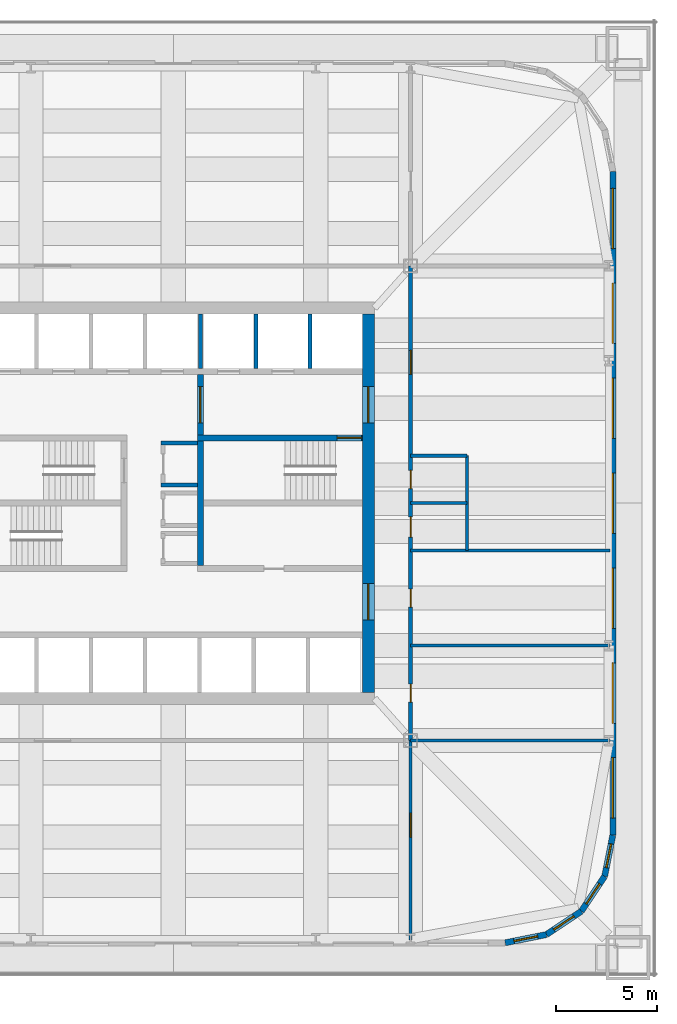
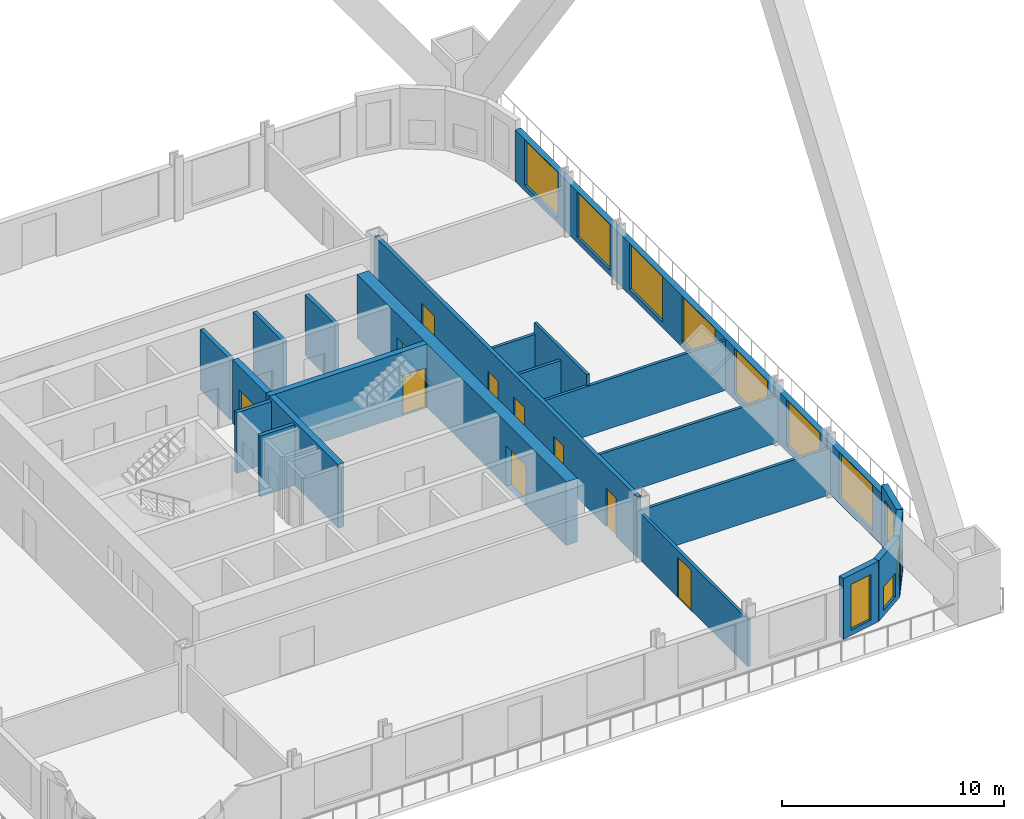
# One storey, part 4 of 7: 21 walls, 11 windows, 10 doors, 21 openings.
"""IFC4 building model written with IfcOpenShell, lengths in metres."""

import ifcopenshell
import ifcopenshell.guid

model = None  # the IFC model being written
_history = None  # IfcOwnerHistory: only IFC2X3 demands one
_inside = {}  # id of a spatial element -> (the spatial element, [elements in it])
_under = {}  # id of a project, library or spatial element -> (it, [spatial elements below it])
_declared = {}  # id of a project -> (the project, [libraries it declares])
_typed = {}  # id of a type object -> (the type object, [elements of that type])
_made_of = {}  # id of a material, layer set ... -> (it, [elements and type objects made of it])


def new_model(schema):
    """Start an empty IFC model of exactly this schema.

    Asked for "IFC4X3", IfcOpenShell would pick the latest addendum, in which some entities
    have other attributes; the version numbers below select the first issue.
    IFC2X3 requires an IfcOwnerHistory on every rooted entity: one is made here for all.
    """
    global model, _history
    if schema == "IFC4X3":
        model = ifcopenshell.file(schema_version=(4, 3, 0, 0))
    else:
        model = ifcopenshell.file(schema=schema)
    _inside.clear()
    _under.clear()
    _declared.clear()
    _typed.clear()
    _made_of.clear()
    _history = None
    if model.schema == "IFC2X3":
        org = make("IfcOrganization", Name="unknown")
        user = make(
            "IfcPersonAndOrganization",
            ThePerson=make("IfcPerson", FamilyName="unknown"),
            TheOrganization=org,
        )
        app = make(
            "IfcApplication",
            ApplicationDeveloper=org,
            Version="unknown",
            ApplicationFullName="unknown",
            ApplicationIdentifier="unknown",
        )
        _history = make(
            "IfcOwnerHistory",
            OwningUser=user,
            OwningApplication=app,
            ChangeAction="ADDED",
            CreationDate=0,
        )
    return model


def make(cls, **values):
    """One entity of the class cls with the attributes given. An attribute that is None is left unset."""
    return model.create_entity(
        cls, **{name: value for name, value in values.items() if value is not None}
    )


def rooted(cls, **values):
    """An entity with a GlobalId (a new one), such as an element, a storey or a relation."""
    return make(cls, GlobalId=ifcopenshell.guid.new(), OwnerHistory=_history, **values)


def si_unit(unit_type, name, prefix=None):
    """IfcSIUnit, for example si_unit("LENGTHUNIT", "METRE", prefix="MILLI")."""
    return make("IfcSIUnit", UnitType=unit_type, Prefix=prefix, Name=name)


def assignment(units):
    """IfcUnitAssignment: the units of a project."""
    return None if units is None else make("IfcUnitAssignment", Units=units)


def point(xyz):
    """IfcCartesianPoint."""
    return None if xyz is None else make("IfcCartesianPoint", Coordinates=xyz)


def direction(xyz):
    """IfcDirection."""
    return None if xyz is None else make("IfcDirection", DirectionRatios=xyz)


def frame(location, z_axis=None, x_axis=None):
    """IfcAxis2Placement3D, a coordinate frame: its origin and axes. An axis left out is left unset."""
    return make(
        "IfcAxis2Placement3D",
        Location=point(location),
        Axis=direction(z_axis),
        RefDirection=direction(x_axis),
    )


def frame_2d(location, x_axis=None):
    """IfcAxis2Placement2D, a coordinate frame in the plane: its origin and x axis."""
    return make(
        "IfcAxis2Placement2D", Location=point(location), RefDirection=direction(x_axis)
    )


def origin():
    """The frame at (0, 0, 0) with its axes left unset."""
    return frame((0.0, 0.0, 0.0))


def place(relative_to, where):
    """IfcLocalPlacement: puts the frame where relative to a parent placement (None: the world)."""
    return make(
        "IfcLocalPlacement", PlacementRelTo=relative_to, RelativePlacement=where
    )


def context(
    kind, dimensions, precision=None, world=None, true_north=None, identifier=None
):
    """IfcGeometricRepresentationContext, for example the 3D "Model" context."""
    return make(
        "IfcGeometricRepresentationContext",
        ContextIdentifier=identifier,
        ContextType=kind,
        CoordinateSpaceDimension=dimensions,
        Precision=precision,
        WorldCoordinateSystem=world,
        TrueNorth=true_north,
    )


def subcontext(parent, identifier, kind, view, scale=None):
    """IfcGeometricRepresentationSubContext, for example "Body" below "Model"."""
    return make(
        "IfcGeometricRepresentationSubContext",
        ContextIdentifier=identifier,
        ContextType=kind,
        ParentContext=parent,
        TargetScale=scale,
        TargetView=view,
    )


def project(units=None, contexts=None):
    """IfcProject with its units and contexts."""
    return rooted(
        "IfcProject",
        Name="project",
        RepresentationContexts=contexts,
        UnitsInContext=assignment(units),
    )


def spatial(cls, under=None, at=None, **own):
    """A site, building, storey or space (cls), placed at a placement, below another one or the project."""
    s = rooted(cls, ObjectPlacement=at, **own)
    if under is not None:
        _under.setdefault(under.id(), (under, []))[1].append(s)
    return s


def profile(cls, at=None, kind="AREA", **sizes):
    """A parametric profile (cls). Its sizes go by their IFC names, for example OverallWidth=200.0."""
    return make(cls, ProfileType=kind, Position=at, **sizes)


def rectangle(**sizes):
    """IfcRectangleProfileDef."""
    return profile("IfcRectangleProfileDef", **sizes)


def extrude(swept, where, along, depth):
    """IfcExtrudedAreaSolid: the profile swept, set in the frame where, extruded along a direction by depth."""
    return make(
        "IfcExtrudedAreaSolid",
        SweptArea=swept,
        Position=where,
        ExtrudedDirection=direction(along),
        Depth=depth,
    )


def shape(context_of_items, identifier, shape_type, items):
    """IfcShapeRepresentation: the items that make up one representation, for example the "Body"."""
    return make(
        "IfcShapeRepresentation",
        ContextOfItems=context_of_items,
        RepresentationIdentifier=identifier,
        RepresentationType=shape_type,
        Items=items,
    )


def material(Name=None, Category=None):
    """IfcMaterial."""
    return make("IfcMaterial", Name=Name, Category=Category)


def layer(
    of_material, thickness, ventilated=None, Name=None, Category=None, Priority=None
):
    """IfcMaterialLayer: one layer of a wall or slab, of a material (None: an air gap)."""
    return make(
        "IfcMaterialLayer",
        Material=of_material,
        LayerThickness=thickness,
        IsVentilated=ventilated,
        Name=Name,
        Category=Category,
        Priority=Priority,
    )


def layer_set(layers, Name=None):
    """IfcMaterialLayerSet."""
    return make("IfcMaterialLayerSet", MaterialLayers=layers, LayerSetName=Name)


def made_of(thing, what):
    """Note that an element or type object is made of a material, layer set ...; save() writes the relation."""
    if what is not None:
        _made_of.setdefault(what.id(), (what, []))[1].append(thing)
    return thing


def type_object(cls, material=None, **own):
    """A type object (cls), such as IfcWallType, which elements share."""
    return made_of(rooted(cls, **own), material)


def element(
    cls,
    number,
    at=None,
    inside=None,
    cuts=None,
    type_object=None,
    material=None,
    context=None,
    identifier="Body",
    shape_type=None,
    held_by="IfcProductDefinitionShape",
    body=None,
    shapes=None,
    **own,
):
    """One element of the class cls, such as IfcWall. Its Tag is "e" and its number.

    at: its placement. inside: the storey or other place that contains it. cuts: it is an
    opening in that element (IfcRelVoidsElement). A single representation is given by context,
    identifier, shape_type and body (its items); several are given by shapes. held_by: the class
    of the entity that holds the representations. save() writes the other relations.
    """
    e = rooted(cls, Tag="e%d" % number, ObjectPlacement=at, **own)
    if body is not None:
        shapes = [shape(context, identifier, shape_type, body)]
    if shapes is not None:
        e.Representation = make(held_by, Representations=shapes)
    if inside is not None:
        _inside.setdefault(inside.id(), (inside, []))[1].append(e)
    if cuts is not None:
        rooted(
            "IfcRelVoidsElement", RelatingBuildingElement=cuts, RelatedOpeningElement=e
        )
    if type_object is not None:
        _typed.setdefault(type_object.id(), (type_object, []))[1].append(e)
    return made_of(e, material)


def fill(opening, filler):
    """IfcRelFillsElement: the door or window that sits in an opening."""
    return rooted(
        "IfcRelFillsElement",
        RelatingOpeningElement=opening,
        RelatedBuildingElement=filler,
    )


def aggregate(whole, parts):
    """IfcRelAggregates: a whole, such as a stair, and the parts it consists of."""
    return rooted("IfcRelAggregates", RelatingObject=whole, RelatedObjects=parts)


def save(model, path):
    """Write the relations noted so far, then the file.

    IfcRelAggregates (storeys below a building ...), IfcRelContainedInSpatialStructure (elements
    in a storey), IfcRelDefinesByType, IfcRelAssociatesMaterial and IfcRelDeclares: one each for
    every whole, place, type object, material and project.
    """
    for whole, parts in _under.values():
        aggregate(whole, parts)
    for where, things in _inside.values():
        rooted(
            "IfcRelContainedInSpatialStructure",
            RelatedElements=things,
            RelatingStructure=where,
        )
    for kind, things in _typed.values():
        rooted("IfcRelDefinesByType", RelatedObjects=things, RelatingType=kind)
    for what, things in _made_of.values():
        rooted("IfcRelAssociatesMaterial", RelatedObjects=things, RelatingMaterial=what)
    for by, libraries in _declared.values():
        rooted("IfcRelDeclares", RelatingContext=by, RelatedDefinitions=libraries)
    model.write(path)


model = new_model("IFC4")

# Units and contexts
model_context = context("Model", 3, precision=1e-05, world=origin(), true_north=direction((0.0, 1.0)))
body_context = subcontext(model_context, "Body", "Model", "MODEL_VIEW")
ifc_project = project(units=[si_unit("LENGTHUNIT", "METRE"), si_unit("AREAUNIT", "SQUARE_METRE"), si_unit("VOLUMEUNIT", "CUBIC_METRE"), si_unit("PLANEANGLEUNIT", "RADIAN"), si_unit("MASSUNIT", "GRAM", prefix="KILO")], contexts=[model_context])

# Site, building, storey
site_placement = place(None, origin())
site = spatial("IfcSite", under=ifc_project, at=site_placement, CompositionType="ELEMENT")
building_placement = place(site_placement, origin())
building = spatial("IfcBuilding", under=site, at=building_placement, Name="Turquesa Mirador Hotel Tower", CompositionType="ELEMENT")
storey_placement = place(building_placement, frame((0.0, 0.0, 25.0)))
storey = spatial("IfcBuildingStorey", under=building, at=storey_placement, Name="L05", CompositionType="ELEMENT", Elevation=25.0)

# Wall, opening, door
ifc_material_1 = material(Name="Concrete C50/60", Category="concrete")
ifc_layer_1 = layer(ifc_material_1, 0.300048828125)
ifc_layer_set_1 = layer_set([ifc_layer_1], Name="CORE INNER WALL 300")
wall_type_1 = type_object("IfcWallType", Name="CORE INNER WALL 300", PredefinedType="SHEAR", material=ifc_layer_set_1)
wall_1_placement = place(storey_placement, frame((56.199951171875, 48.25, 0.0), z_axis=(0.0, 0.0, 1.0), x_axis=(1.0, 0.0, 0.0)))
wall_1 = element("IfcWall", 1, at=wall_1_placement, inside=storey, type_object=wall_type_1, Name="Core wall MN-E", PredefinedType="SHEAR", context=body_context, shape_type="SweptSolid", body=[
    extrude(rectangle(XDim=8.199951171875, YDim=0.300048828125, at=frame_2d((4.10009765625, 0.0))), origin(), (0.0, 0.0, 1.0), 3.5),
])
opening_1_placement = place(wall_1_placement, frame((6.949951171875, 0.0, 0.0)))
opening_1 = element("IfcOpeningElement", 2, at=opening_1_placement, cuts=wall_1, Name="Opening D03", PredefinedType="OPENING", context=body_context, shape_type="SweptSolid", body=[
    extrude(rectangle(XDim=1.199951171875, YDim=2.199951171875, at=frame_2d((0.60009765625, 1.10009765625))), frame((0.0, 0.159912109375, 0.0), z_axis=(0.0, -1.0, 0.0), x_axis=(1.0, 0.0, 0.0)), (0.0, 0.0, 1.0), 0.320068359375),
])
ifc_material_2 = material(Name="Steel fire door", Category="steel")
door_type_1 = type_object("IfcDoorType", Name="DOOR 1200X2200 STAIR", OperationType="SINGLE_SWING_LEFT", PredefinedType="DOOR", material=ifc_material_2)
door_1_placement = place(opening_1_placement, origin())
door_1 = element("IfcDoor", 3, at=door_1_placement, inside=storey, type_object=door_type_1, Name="Stair ST3 door", OperationType="SINGLE_SWING_LEFT", OverallHeight=2.199951171875, OverallWidth=1.199951171875, PredefinedType="DOOR", context=body_context, shape_type="SweptSolid", body=[
    extrude(rectangle(XDim=1.199951171875, YDim=2.199951171875, at=frame_2d((0.60009765625, 1.10009765625))), frame((0.0, 0.02490234375, 0.0), z_axis=(0.0, -1.0, 0.0), x_axis=(1.0, 0.0, 0.0)), (0.0, 0.0, 1.0), 0.050048828125),
])
fill(opening_1, door_1)

wall_2_placement = place(storey_placement, frame((56.35009765625, 41.89990234375, 0.0), z_axis=(0.0, 0.0, 1.0), x_axis=(0.0, 1.0, 0.0)))
wall_2 = element("IfcWall", 4, at=wall_2_placement, inside=storey, type_object=wall_type_1, Name="Core wall PE", PredefinedType="SHEAR", context=body_context, shape_type="SweptSolid", body=[
    extrude(rectangle(XDim=9.5, YDim=0.300048828125, at=frame_2d((4.75, 0.0))), origin(), (0.0, 0.0, 1.0), 3.5),
])
opening_2_placement = place(wall_2_placement, frame((7.10009765625, 0.0, 0.0)))
opening_2 = element("IfcOpeningElement", 5, at=opening_2_placement, cuts=wall_2, Name="Opening D04", PredefinedType="OPENING", context=body_context, shape_type="SweptSolid", body=[
    extrude(rectangle(XDim=1.800048828125, YDim=2.199951171875, at=frame_2d((0.89990234375, 1.10009765625))), frame((0.0, 0.159912109375, 0.0), z_axis=(0.0, -1.0, 0.0), x_axis=(1.0, 0.0, 0.0)), (0.0, 0.0, 1.0), 0.320068359375),
])
ifc_material_3 = material(Name="Steel fire door pair", Category="steel")
door_type_2 = type_object("IfcDoorType", Name="DOOR 1800X2200 PAIR", OperationType="DOUBLE_DOOR_SINGLE_SWING", PredefinedType="DOOR", material=ifc_material_3)
door_2_placement = place(opening_2_placement, origin())
door_2 = element("IfcDoor", 6, at=door_2_placement, inside=storey, type_object=door_type_2, Name="Firefighting lobby inner door", OperationType="DOUBLE_DOOR_SINGLE_SWING", OverallHeight=2.199951171875, OverallWidth=1.800048828125, PredefinedType="DOOR", context=body_context, shape_type="SweptSolid", body=[
    extrude(rectangle(XDim=1.800048828125, YDim=2.199951171875, at=frame_2d((0.89990234375, 1.10009765625))), frame((0.0, 0.02490234375, 0.0), z_axis=(0.0, -1.0, 0.0), x_axis=(1.0, 0.0, 0.0)), (0.0, 0.0, 1.0), 0.050048828125),
])
fill(opening_2, door_2)

# Wall, openings, doors
ifc_material_4 = material(Name="Concrete C50/60", Category="concrete")
ifc_layer_2 = layer(ifc_material_4, 0.60009765625)
ifc_layer_set_2 = layer_set([ifc_layer_2], Name="CORE WALL 600")
wall_type_2 = type_object("IfcWallType", Name="CORE WALL 600", PredefinedType="SHEAR", material=ifc_layer_set_2)
wall_3_placement = place(storey_placement, frame((64.699951171875, 35.60009765625, 0.0), z_axis=(0.0, 0.0, 1.0), x_axis=(0.0, 1.0, 0.0)))
wall_3 = element("IfcWall", 7, at=wall_3_placement, inside=storey, type_object=wall_type_2, Name="Core wall E", PredefinedType="SHEAR", context=body_context, shape_type="SweptSolid", body=[
    extrude(rectangle(XDim=18.7998046875, YDim=0.60009765625, at=frame_2d((9.39990234375, 0.0))), origin(), (0.0, 0.0, 1.0), 3.5),
])
opening_3_placement = place(wall_3_placement, frame((13.39990234375, 0.0, 0.0)))
opening_3 = element("IfcOpeningElement", 8, at=opening_3_placement, cuts=wall_3, Name="Opening D04", PredefinedType="OPENING", context=body_context, shape_type="SweptSolid", body=[
    extrude(rectangle(XDim=1.800048828125, YDim=2.199951171875, at=frame_2d((0.89990234375, 1.10009765625))), frame((0.0, 0.31005859375, 0.0), z_axis=(0.0, -1.0, 0.0), x_axis=(1.0, 0.0, 0.0)), (0.0, 0.0, 1.0), 0.6201171875),
])
opening_4_placement = place(wall_3_placement, frame((3.60009765625, 0.0, 0.0)))
opening_4 = element("IfcOpeningElement", 9, at=opening_4_placement, cuts=wall_3, Name="Opening D04", PredefinedType="OPENING", context=body_context, shape_type="SweptSolid", body=[
    extrude(rectangle(XDim=1.800048828125, YDim=2.199951171875, at=frame_2d((0.89990234375, 1.10009765625))), frame((0.0, 0.31005859375, 0.0), z_axis=(0.0, -1.0, 0.0), x_axis=(1.0, 0.0, 0.0)), (0.0, 0.0, 1.0), 0.6201171875),
])
door_3_placement = place(opening_3_placement, origin())
door_3 = element("IfcDoor", 10, at=door_3_placement, inside=storey, type_object=door_type_2, Name="Firefighting lobby door", OperationType="DOUBLE_DOOR_SINGLE_SWING", OverallHeight=2.199951171875, OverallWidth=1.800048828125, PredefinedType="DOOR", context=body_context, shape_type="SweptSolid", body=[
    extrude(rectangle(XDim=1.800048828125, YDim=2.199951171875, at=frame_2d((0.89990234375, 1.10009765625))), frame((0.0, 0.02490234375, 0.0), z_axis=(0.0, -1.0, 0.0), x_axis=(1.0, 0.0, 0.0)), (0.0, 0.0, 1.0), 0.050048828125),
])
fill(opening_3, door_3)
door_4_placement = place(opening_4_placement, origin())
door_4 = element("IfcDoor", 11, at=door_4_placement, inside=storey, type_object=door_type_2, Name="South lift lobby door", OperationType="DOUBLE_DOOR_SINGLE_SWING", OverallHeight=2.199951171875, OverallWidth=1.800048828125, PredefinedType="DOOR", context=body_context, shape_type="SweptSolid", body=[
    extrude(rectangle(XDim=1.800048828125, YDim=2.199951171875, at=frame_2d((0.89990234375, 1.10009765625))), frame((0.0, 0.02490234375, 0.0), z_axis=(0.0, -1.0, 0.0), x_axis=(1.0, 0.0, 0.0)), (0.0, 0.0, 1.0), 0.050048828125),
])
fill(opening_4, door_4)

ifc_material_5 = material(Name="Fire-rated gypsum board on steel studs", Category="steel")
ifc_layer_3 = layer(ifc_material_5, 0.199951171875)
ifc_layer_set_3 = layer_set([ifc_layer_3], Name="CORRIDOR WALL 200")
wall_type_3 = type_object("IfcWallType", Name="CORRIDOR WALL 200", PredefinedType="PARTITIONING", material=ifc_layer_set_3)
wall_4_placement = place(storey_placement, frame((66.800048828125, 33.199951171875, 0.0), z_axis=(0.0, 0.0, 1.0), x_axis=(0.0, 1.0, 0.0)))
wall_4 = element("IfcWall", 12, at=wall_4_placement, inside=storey, type_object=wall_type_3, Name="Partition L05 014", PredefinedType="PARTITIONING", context=body_context, shape_type="SweptSolid", body=[
    extrude(rectangle(XDim=23.60009765625, YDim=0.199951171875, at=frame_2d((11.800048828125, 0.0))), origin(), (0.0, 0.0, 1.0), 3.330078125),
])
opening_5_placement = place(wall_4_placement, frame((18.199951171875, 0.0, 0.0)))
opening_5 = element("IfcOpeningElement", 13, at=opening_5_placement, cuts=wall_4, Name="Opening D09", PredefinedType="OPENING", context=body_context, shape_type="SweptSolid", body=[
    extrude(rectangle(XDim=1.199951171875, YDim=2.199951171875, at=frame_2d((0.60009765625, 1.10009765625))), frame((0.0, 0.10986328125, 0.0), z_axis=(0.0, -1.0, 0.0), x_axis=(1.0, 0.0, 0.0)), (0.0, 0.0, 1.0), 0.219970703125),
])
opening_6_placement = place(wall_4_placement, frame((10.1201171875, 0.0, 0.0)))
opening_6 = element("IfcOpeningElement", 14, at=opening_6_placement, cuts=wall_4, Name="Opening D07", PredefinedType="OPENING", context=body_context, shape_type="SweptSolid", body=[
    extrude(rectangle(XDim=1.0, YDim=2.10009765625, at=frame_2d((0.5, 1.050048828125))), frame((0.0, 0.10986328125, 0.0), z_axis=(0.0, -1.0, 0.0), x_axis=(1.0, 0.0, 0.0)), (0.0, 0.0, 1.0), 0.219970703125),
])
opening_7_placement = place(wall_4_placement, frame((12.530029296875, 0.0, 0.0)))
opening_7 = element("IfcOpeningElement", 15, at=opening_7_placement, cuts=wall_4, Name="Opening D06", PredefinedType="OPENING", context=body_context, shape_type="SweptSolid", body=[
    extrude(rectangle(XDim=0.89990234375, YDim=2.10009765625, at=frame_2d((0.449951171875, 1.050048828125))), frame((0.0, 0.10986328125, 0.0), z_axis=(0.0, -1.0, 0.0), x_axis=(1.0, 0.0, 0.0)), (0.0, 0.0, 1.0), 0.219970703125),
])
opening_8_placement = place(wall_4_placement, frame((1.909912109375, 0.0, 0.0)))
opening_8 = element("IfcOpeningElement", 16, at=opening_8_placement, cuts=wall_4, Name="Opening D06", PredefinedType="OPENING", context=body_context, shape_type="SweptSolid", body=[
    extrude(rectangle(XDim=0.89990234375, YDim=2.10009765625, at=frame_2d((0.449951171875, 1.050048828125))), frame((0.0, 0.10986328125, 0.0), z_axis=(0.0, -1.0, 0.0), x_axis=(1.0, 0.0, 0.0)), (0.0, 0.0, 1.0), 0.219970703125),
])
opening_9_placement = place(wall_4_placement, frame((6.6298828125, 0.0, 0.0)))
opening_9 = element("IfcOpeningElement", 17, at=opening_9_placement, cuts=wall_4, Name="Opening D06", PredefinedType="OPENING", context=body_context, shape_type="SweptSolid", body=[
    extrude(rectangle(XDim=0.89990234375, YDim=2.10009765625, at=frame_2d((0.449951171875, 1.050048828125))), frame((0.0, 0.10986328125, 0.0), z_axis=(0.0, -1.0, 0.0), x_axis=(1.0, 0.0, 0.0)), (0.0, 0.0, 1.0), 0.219970703125),
])
ifc_material_6 = material(Name="Laminate sliding door", Category="wood")
door_type_3 = type_object("IfcDoorType", Name="DOOR 1000X2100 ACCESSIBLE WC", OperationType="SLIDING_TO_LEFT", PredefinedType="DOOR", material=ifc_material_6)
door_5_placement = place(opening_6_placement, origin())
door_5 = element("IfcDoor", 18, at=door_5_placement, inside=storey, type_object=door_type_3, Name="Door L05-11", OperationType="SLIDING_TO_LEFT", OverallHeight=2.10009765625, OverallWidth=1.0, PredefinedType="DOOR", context=body_context, shape_type="SweptSolid", body=[
    extrude(rectangle(XDim=1.0, YDim=2.10009765625, at=frame_2d((0.5, 1.050048828125))), frame((0.0, 0.02490234375, 0.0), z_axis=(0.0, -1.0, 0.0), x_axis=(1.0, 0.0, 0.0)), (0.0, 0.0, 1.0), 0.050048828125),
])
fill(opening_6, door_5)
ifc_material_7 = material(Name="Timber door", Category="wood")
door_type_4 = type_object("IfcDoorType", Name="DOOR 1200X2200 OFFICE", OperationType="SINGLE_SWING_LEFT", PredefinedType="DOOR", material=ifc_material_7)
door_6_placement = place(opening_5_placement, origin())
door_6 = element("IfcDoor", 19, at=door_6_placement, inside=storey, type_object=door_type_4, Name="Door L05-08", OperationType="SINGLE_SWING_LEFT", OverallHeight=2.199951171875, OverallWidth=1.199951171875, PredefinedType="DOOR", context=body_context, shape_type="SweptSolid", body=[
    extrude(rectangle(XDim=1.199951171875, YDim=2.199951171875, at=frame_2d((0.60009765625, 1.10009765625))), frame((0.0, 0.02490234375, 0.0), z_axis=(0.0, -1.0, 0.0), x_axis=(1.0, 0.0, 0.0)), (0.0, 0.0, 1.0), 0.050048828125),
])
fill(opening_5, door_6)
ifc_material_8 = material(Name="Laminate door", Category="wood")
door_type_5 = type_object("IfcDoorType", Name="DOOR 900X2100 WC", OperationType="SINGLE_SWING_LEFT", PredefinedType="DOOR", material=ifc_material_8)
door_7_placement = place(opening_7_placement, origin())
door_7 = element("IfcDoor", 20, at=door_7_placement, inside=storey, type_object=door_type_5, Name="Door L05-12", OperationType="SINGLE_SWING_LEFT", OverallHeight=2.10009765625, OverallWidth=0.89990234375, PredefinedType="DOOR", context=body_context, shape_type="SweptSolid", body=[
    extrude(rectangle(XDim=0.89990234375, YDim=2.10009765625, at=frame_2d((0.449951171875, 1.050048828125))), frame((0.0, 0.02490234375, 0.0), z_axis=(0.0, -1.0, 0.0), x_axis=(1.0, 0.0, 0.0)), (0.0, 0.0, 1.0), 0.050048828125),
])
fill(opening_7, door_7)
door_8_placement = place(opening_8_placement, origin())
door_8 = element("IfcDoor", 21, at=door_8_placement, inside=storey, type_object=door_type_5, Name="Door L05-09", OperationType="SINGLE_SWING_LEFT", OverallHeight=2.10009765625, OverallWidth=0.89990234375, PredefinedType="DOOR", context=body_context, shape_type="SweptSolid", body=[
    extrude(rectangle(XDim=0.89990234375, YDim=2.10009765625, at=frame_2d((0.449951171875, 1.050048828125))), frame((0.0, 0.02490234375, 0.0), z_axis=(0.0, -1.0, 0.0), x_axis=(1.0, 0.0, 0.0)), (0.0, 0.0, 1.0), 0.050048828125),
])
fill(opening_8, door_8)
door_9_placement = place(opening_9_placement, origin())
door_9 = element("IfcDoor", 22, at=door_9_placement, inside=storey, type_object=door_type_5, Name="Door L05-10", OperationType="SINGLE_SWING_LEFT", OverallHeight=2.10009765625, OverallWidth=0.89990234375, PredefinedType="DOOR", context=body_context, shape_type="SweptSolid", body=[
    extrude(rectangle(XDim=0.89990234375, YDim=2.10009765625, at=frame_2d((0.449951171875, 1.050048828125))), frame((0.0, 0.02490234375, 0.0), z_axis=(0.0, -1.0, 0.0), x_axis=(1.0, 0.0, 0.0)), (0.0, 0.0, 1.0), 0.050048828125),
])
fill(opening_9, door_9)

# Wall, opening, window
ifc_material_9 = material(Name="Limestone cladding on concrete block", Category="masonry")
ifc_layer_4 = layer(ifc_material_9, 0.300048828125)
ifc_layer_set_4 = layer_set([ifc_layer_4], Name="FACADE WALL 300 STONE SCREEN")
wall_type_4 = type_object("IfcWallType", Name="FACADE WALL 300 STONE SCREEN", PredefinedType="SOLIDWALL", material=ifc_layer_set_4)
wall_5_placement = place(storey_placement, frame((71.5, 23.14990234375, 0.0), z_axis=(0.0, 0.0, 1.0), x_axis=(0.980787050784, 0.195081421501, 0.0)))
wall_5 = element("IfcWall", 23, at=wall_5_placement, inside=storey, type_object=wall_type_4, Name="Facade wall L05 00", PredefinedType="SOLIDWALL", context=body_context, shape_type="SweptSolid", body=[
    extrude(rectangle(XDim=2.08740234375, YDim=0.300048828125, at=frame_2d((1.043701171875, 0.0))), origin(), (0.0, 0.0, 1.0), 3.330078125),
])
opening_10_placement = place(wall_5_placement, frame((0.443603515625, 0.0, 0.300048828125)))
opening_10 = element("IfcOpeningElement", 24, at=opening_10_placement, cuts=wall_5, Name="Opening WN6", PredefinedType="OPENING", context=body_context, shape_type="SweptSolid", body=[
    extrude(rectangle(XDim=1.199951171875, YDim=2.5, at=frame_2d((0.60009765625, 1.25))), frame((0.0, 0.159912109375, 0.0), z_axis=(0.0, -1.0, 0.0), x_axis=(1.0, 0.0, 0.0)), (0.0, 0.0, 1.0), 0.320068359375),
])
ifc_material_10 = material(Name="Ceramic-fritted laminated glass", Category="glass")
window_type_1 = type_object("IfcWindowType", Name="AMENITY CORNER WINDOW 1200X2500", PartitioningType="SINGLE_PANEL", PredefinedType="WINDOW", material=ifc_material_10)
window_1_placement = place(opening_10_placement, origin())
window_1 = element("IfcWindow", 25, at=window_1_placement, inside=storey, type_object=window_type_1, Name="Window L05", OverallHeight=2.5, OverallWidth=1.199951171875, PartitioningType="SINGLE_PANEL", PredefinedType="WINDOW", context=body_context, shape_type="SweptSolid", body=[
    extrude(rectangle(XDim=1.199951171875, YDim=2.5, at=frame_2d((0.60009765625, 1.25))), frame((0.0, 0.030029296875, 0.0), z_axis=(0.0, -1.0, 0.0), x_axis=(1.0, 0.0, 0.0)), (0.0, 0.0, 1.0), 0.06005859375),
])
fill(opening_10, window_1)

wall_6_placement = place(storey_placement, frame((73.54736328125, 23.55712890625, 0.0), z_axis=(0.0, 0.0, 1.0), x_axis=(0.831420010345, 0.555644460423, 0.0)))
wall_6 = element("IfcWall", 26, at=wall_6_placement, inside=storey, type_object=wall_type_4, Name="Facade wall L05 01", PredefinedType="SOLIDWALL", context=body_context, shape_type="SweptSolid", body=[
    extrude(rectangle(XDim=2.08740234375, YDim=0.300048828125, at=frame_2d((1.043701171875, 0.0))), origin(), (0.0, 0.0, 1.0), 3.330078125),
])
opening_11_placement = place(wall_6_placement, frame((0.443603515625, 0.0, 0.300048828125)))
opening_11 = element("IfcOpeningElement", 27, at=opening_11_placement, cuts=wall_6, Name="Opening WN9", PredefinedType="OPENING", context=body_context, shape_type="SweptSolid", body=[
    extrude(rectangle(XDim=1.199951171875, YDim=1.300048828125, at=frame_2d((0.60009765625, 0.64990234375))), frame((0.0, 0.159912109375, 0.0), z_axis=(0.0, -1.0, 0.0), x_axis=(1.0, 0.0, 0.0)), (0.0, 0.0, 1.0), 0.320068359375),
])
ifc_material_11 = material(Name="Ceramic-fritted laminated glass", Category="glass")
window_type_2 = type_object("IfcWindowType", Name="AMENITY CORNER WINDOW 1200X1300", PartitioningType="SINGLE_PANEL", PredefinedType="WINDOW", material=ifc_material_11)
window_2_placement = place(opening_11_placement, origin())
window_2 = element("IfcWindow", 28, at=window_2_placement, inside=storey, type_object=window_type_2, Name="Window L05", OverallHeight=1.300048828125, OverallWidth=1.199951171875, PartitioningType="SINGLE_PANEL", PredefinedType="WINDOW", context=body_context, shape_type="SweptSolid", body=[
    extrude(rectangle(XDim=1.199951171875, YDim=1.300048828125, at=frame_2d((0.60009765625, 0.64990234375))), frame((0.0, 0.030029296875, 0.0), z_axis=(0.0, -1.0, 0.0), x_axis=(1.0, 0.0, 0.0)), (0.0, 0.0, 1.0), 0.06005859375),
])
fill(opening_11, window_2)

wall_7_placement = place(storey_placement, frame((75.282958984375, 24.717041015625, 0.0), z_axis=(0.0, 0.0, 1.0), x_axis=(0.555644460423, 0.831420010345, 0.0)))
wall_7 = element("IfcWall", 29, at=wall_7_placement, inside=storey, type_object=wall_type_4, Name="Facade wall L05 02", PredefinedType="SOLIDWALL", context=body_context, shape_type="SweptSolid", body=[
    extrude(rectangle(XDim=2.08740234375, YDim=0.300048828125, at=frame_2d((1.043701171875, 0.0))), origin(), (0.0, 0.0, 1.0), 3.330078125),
])
opening_12_placement = place(wall_7_placement, frame((0.443603515625, 0.0, 0.300048828125)))
opening_12 = element("IfcOpeningElement", 30, at=opening_12_placement, cuts=wall_7, Name="Opening WN9", PredefinedType="OPENING", context=body_context, shape_type="SweptSolid", body=[
    extrude(rectangle(XDim=1.199951171875, YDim=1.300048828125, at=frame_2d((0.60009765625, 0.64990234375))), frame((0.0, 0.159912109375, 0.0), z_axis=(0.0, -1.0, 0.0), x_axis=(1.0, 0.0, 0.0)), (0.0, 0.0, 1.0), 0.320068359375),
])
window_3_placement = place(opening_12_placement, origin())
window_3 = element("IfcWindow", 31, at=window_3_placement, inside=storey, type_object=window_type_2, Name="Window L05", OverallHeight=1.300048828125, OverallWidth=1.199951171875, PartitioningType="SINGLE_PANEL", PredefinedType="WINDOW", context=body_context, shape_type="SweptSolid", body=[
    extrude(rectangle(XDim=1.199951171875, YDim=1.300048828125, at=frame_2d((0.60009765625, 0.64990234375))), frame((0.0, 0.030029296875, 0.0), z_axis=(0.0, -1.0, 0.0), x_axis=(1.0, 0.0, 0.0)), (0.0, 0.0, 1.0), 0.06005859375),
])
fill(opening_12, window_3)

wall_8_placement = place(storey_placement, frame((76.44287109375, 26.45263671875, 0.0), z_axis=(0.0, 0.0, 1.0), x_axis=(0.195081421501, 0.980787050784, 0.0)))
wall_8 = element("IfcWall", 32, at=wall_8_placement, inside=storey, type_object=wall_type_4, Name="Facade wall L05 03", PredefinedType="SOLIDWALL", context=body_context, shape_type="SweptSolid", body=[
    extrude(rectangle(XDim=2.08740234375, YDim=0.300048828125, at=frame_2d((1.043701171875, 0.0))), origin(), (0.0, 0.0, 1.0), 3.330078125),
])
opening_13_placement = place(wall_8_placement, frame((0.443603515625, 0.0, 0.300048828125)))
opening_13 = element("IfcOpeningElement", 33, at=opening_13_placement, cuts=wall_8, Name="Opening WN6", PredefinedType="OPENING", context=body_context, shape_type="SweptSolid", body=[
    extrude(rectangle(XDim=1.199951171875, YDim=2.5, at=frame_2d((0.60009765625, 1.25))), frame((0.0, 0.159912109375, 0.0), z_axis=(0.0, -1.0, 0.0), x_axis=(1.0, 0.0, 0.0)), (0.0, 0.0, 1.0), 0.320068359375),
])
window_4_placement = place(opening_13_placement, origin())
window_4 = element("IfcWindow", 34, at=window_4_placement, inside=storey, type_object=window_type_1, Name="Window L05", OverallHeight=2.5, OverallWidth=1.199951171875, PartitioningType="SINGLE_PANEL", PredefinedType="WINDOW", context=body_context, shape_type="SweptSolid", body=[
    extrude(rectangle(XDim=1.199951171875, YDim=2.5, at=frame_2d((0.60009765625, 1.25))), frame((0.0, 0.030029296875, 0.0), z_axis=(0.0, -1.0, 0.0), x_axis=(1.0, 0.0, 0.0)), (0.0, 0.0, 1.0), 0.06005859375),
])
fill(opening_13, window_4)

# Wall, openings, windows
wall_9_placement = place(storey_placement, frame((76.85009765625, 28.5, 0.0), z_axis=(0.0, 0.0, 1.0), x_axis=(0.0, 1.0, 0.0)))
wall_9 = element("IfcWall", 35, at=wall_9_placement, inside=storey, type_object=wall_type_4, Name="Facade wall L05 04", PredefinedType="SOLIDWALL", context=body_context, shape_type="SweptSolid", body=[
    extrude(rectangle(XDim=33.0, YDim=0.300048828125, at=frame_2d((16.5, 0.0))), origin(), (0.0, 0.0, 1.0), 2.830078125),
])
opening_14_placement = place(wall_9_placement, frame((0.85009765625, 0.0, 0.300048828125)))
opening_14 = element("IfcOpeningElement", 36, at=opening_14_placement, cuts=wall_9, Name="Opening WN5", PredefinedType="OPENING", context=body_context, shape_type="SweptSolid", body=[
    extrude(rectangle(XDim=3.0, YDim=2.5, at=frame_2d((1.5, 1.25))), frame((0.0, 0.159912109375, 0.0), z_axis=(0.0, -1.0, 0.0), x_axis=(1.0, 0.0, 0.0)), (0.0, 0.0, 1.0), 0.320068359375),
])
opening_15_placement = place(wall_9_placement, frame((5.56005859375, 0.0, 0.300048828125)))
opening_15 = element("IfcOpeningElement", 37, at=opening_15_placement, cuts=wall_9, Name="Opening WN5", PredefinedType="OPENING", context=body_context, shape_type="SweptSolid", body=[
    extrude(rectangle(XDim=3.0, YDim=2.5, at=frame_2d((1.5, 1.25))), frame((0.0, 0.159912109375, 0.0), z_axis=(0.0, -1.0, 0.0), x_axis=(1.0, 0.0, 0.0)), (0.0, 0.0, 1.0), 0.320068359375),
])
opening_16_placement = place(wall_9_placement, frame((10.280029296875, 0.0, 0.300048828125)))
opening_16 = element("IfcOpeningElement", 38, at=opening_16_placement, cuts=wall_9, Name="Opening WN5", PredefinedType="OPENING", context=body_context, shape_type="SweptSolid", body=[
    extrude(rectangle(XDim=3.0, YDim=2.5, at=frame_2d((1.5, 1.25))), frame((0.0, 0.159912109375, 0.0), z_axis=(0.0, -1.0, 0.0), x_axis=(1.0, 0.0, 0.0)), (0.0, 0.0, 1.0), 0.320068359375),
])
opening_17_placement = place(wall_9_placement, frame((15.0, 0.0, 0.300048828125)))
opening_17 = element("IfcOpeningElement", 39, at=opening_17_placement, cuts=wall_9, Name="Opening WN5", PredefinedType="OPENING", context=body_context, shape_type="SweptSolid", body=[
    extrude(rectangle(XDim=3.0, YDim=2.5, at=frame_2d((1.5, 1.25))), frame((0.0, 0.159912109375, 0.0), z_axis=(0.0, -1.0, 0.0), x_axis=(1.0, 0.0, 0.0)), (0.0, 0.0, 1.0), 0.320068359375),
])
opening_18_placement = place(wall_9_placement, frame((19.719970703125, 0.0, 0.300048828125)))
opening_18 = element("IfcOpeningElement", 40, at=opening_18_placement, cuts=wall_9, Name="Opening WN5", PredefinedType="OPENING", context=body_context, shape_type="SweptSolid", body=[
    extrude(rectangle(XDim=3.0, YDim=2.5, at=frame_2d((1.5, 1.25))), frame((0.0, 0.159912109375, 0.0), z_axis=(0.0, -1.0, 0.0), x_axis=(1.0, 0.0, 0.0)), (0.0, 0.0, 1.0), 0.320068359375),
])
opening_19_placement = place(wall_9_placement, frame((24.43994140625, 0.0, 0.300048828125)))
opening_19 = element("IfcOpeningElement", 41, at=opening_19_placement, cuts=wall_9, Name="Opening WN5", PredefinedType="OPENING", context=body_context, shape_type="SweptSolid", body=[
    extrude(rectangle(XDim=3.0, YDim=2.5, at=frame_2d((1.5, 1.25))), frame((0.0, 0.159912109375, 0.0), z_axis=(0.0, -1.0, 0.0), x_axis=(1.0, 0.0, 0.0)), (0.0, 0.0, 1.0), 0.320068359375),
])
opening_20_placement = place(wall_9_placement, frame((29.14990234375, 0.0, 0.300048828125)))
opening_20 = element("IfcOpeningElement", 42, at=opening_20_placement, cuts=wall_9, Name="Opening WN5", PredefinedType="OPENING", context=body_context, shape_type="SweptSolid", body=[
    extrude(rectangle(XDim=3.0, YDim=2.5, at=frame_2d((1.5, 1.25))), frame((0.0, 0.159912109375, 0.0), z_axis=(0.0, -1.0, 0.0), x_axis=(1.0, 0.0, 0.0)), (0.0, 0.0, 1.0), 0.320068359375),
])
ifc_material_12 = material(Name="Ceramic-fritted laminated glass", Category="glass")
window_type_3 = type_object("IfcWindowType", Name="AMENITY WINDOW 3000X2500", PartitioningType="SINGLE_PANEL", PredefinedType="WINDOW", material=ifc_material_12)
window_5_placement = place(opening_14_placement, origin())
window_5 = element("IfcWindow", 43, at=window_5_placement, inside=storey, type_object=window_type_3, Name="Window L05", OverallHeight=2.5, OverallWidth=3.0, PartitioningType="SINGLE_PANEL", PredefinedType="WINDOW", context=body_context, shape_type="SweptSolid", body=[
    extrude(rectangle(XDim=3.0, YDim=2.5, at=frame_2d((1.5, 1.25))), frame((0.0, 0.030029296875, 0.0), z_axis=(0.0, -1.0, 0.0), x_axis=(1.0, 0.0, 0.0)), (0.0, 0.0, 1.0), 0.06005859375),
])
fill(opening_14, window_5)
window_6_placement = place(opening_15_placement, origin())
window_6 = element("IfcWindow", 44, at=window_6_placement, inside=storey, type_object=window_type_3, Name="Window L05", OverallHeight=2.5, OverallWidth=3.0, PartitioningType="SINGLE_PANEL", PredefinedType="WINDOW", context=body_context, shape_type="SweptSolid", body=[
    extrude(rectangle(XDim=3.0, YDim=2.5, at=frame_2d((1.5, 1.25))), frame((0.0, 0.030029296875, 0.0), z_axis=(0.0, -1.0, 0.0), x_axis=(1.0, 0.0, 0.0)), (0.0, 0.0, 1.0), 0.06005859375),
])
fill(opening_15, window_6)
window_7_placement = place(opening_16_placement, origin())
window_7 = element("IfcWindow", 45, at=window_7_placement, inside=storey, type_object=window_type_3, Name="Window L05", OverallHeight=2.5, OverallWidth=3.0, PartitioningType="SINGLE_PANEL", PredefinedType="WINDOW", context=body_context, shape_type="SweptSolid", body=[
    extrude(rectangle(XDim=3.0, YDim=2.5, at=frame_2d((1.5, 1.25))), frame((0.0, 0.030029296875, 0.0), z_axis=(0.0, -1.0, 0.0), x_axis=(1.0, 0.0, 0.0)), (0.0, 0.0, 1.0), 0.06005859375),
])
fill(opening_16, window_7)
window_8_placement = place(opening_17_placement, origin())
window_8 = element("IfcWindow", 46, at=window_8_placement, inside=storey, type_object=window_type_3, Name="Window L05", OverallHeight=2.5, OverallWidth=3.0, PartitioningType="SINGLE_PANEL", PredefinedType="WINDOW", context=body_context, shape_type="SweptSolid", body=[
    extrude(rectangle(XDim=3.0, YDim=2.5, at=frame_2d((1.5, 1.25))), frame((0.0, 0.030029296875, 0.0), z_axis=(0.0, -1.0, 0.0), x_axis=(1.0, 0.0, 0.0)), (0.0, 0.0, 1.0), 0.06005859375),
])
fill(opening_17, window_8)
window_9_placement = place(opening_18_placement, origin())
window_9 = element("IfcWindow", 47, at=window_9_placement, inside=storey, type_object=window_type_3, Name="Window L05", OverallHeight=2.5, OverallWidth=3.0, PartitioningType="SINGLE_PANEL", PredefinedType="WINDOW", context=body_context, shape_type="SweptSolid", body=[
    extrude(rectangle(XDim=3.0, YDim=2.5, at=frame_2d((1.5, 1.25))), frame((0.0, 0.030029296875, 0.0), z_axis=(0.0, -1.0, 0.0), x_axis=(1.0, 0.0, 0.0)), (0.0, 0.0, 1.0), 0.06005859375),
])
fill(opening_18, window_9)
window_10_placement = place(opening_19_placement, origin())
window_10 = element("IfcWindow", 48, at=window_10_placement, inside=storey, type_object=window_type_3, Name="Window L05", OverallHeight=2.5, OverallWidth=3.0, PartitioningType="SINGLE_PANEL", PredefinedType="WINDOW", context=body_context, shape_type="SweptSolid", body=[
    extrude(rectangle(XDim=3.0, YDim=2.5, at=frame_2d((1.5, 1.25))), frame((0.0, 0.030029296875, 0.0), z_axis=(0.0, -1.0, 0.0), x_axis=(1.0, 0.0, 0.0)), (0.0, 0.0, 1.0), 0.06005859375),
])
fill(opening_19, window_10)
window_11_placement = place(opening_20_placement, origin())
window_11 = element("IfcWindow", 49, at=window_11_placement, inside=storey, type_object=window_type_3, Name="Window L05", OverallHeight=2.5, OverallWidth=3.0, PartitioningType="SINGLE_PANEL", PredefinedType="WINDOW", context=body_context, shape_type="SweptSolid", body=[
    extrude(rectangle(XDim=3.0, YDim=2.5, at=frame_2d((1.5, 1.25))), frame((0.0, 0.030029296875, 0.0), z_axis=(0.0, -1.0, 0.0), x_axis=(1.0, 0.0, 0.0)), (0.0, 0.0, 1.0), 0.06005859375),
])
fill(opening_20, window_11)

# Walls
ifc_material_13 = material(Name="Fire-rated gypsum board on steel studs", Category="steel")
ifc_layer_5 = layer(ifc_material_13, 0.199951171875)
ifc_layer_set_5 = layer_set([ifc_layer_5], Name="FIRE PARTITION 200")
wall_type_5 = type_object("IfcWallType", Name="FIRE PARTITION 200", PredefinedType="PARTITIONING", material=ifc_layer_set_5)
for number, where, z_axis, x_axis, name in (
    (50, (54.39990234375, 45.89990234375, 0.0), (0.0, 0.0, 1.0), (1.0, 0.0, 0.0), "Partition L05 BO S"),
    (51, (54.39990234375, 48.0, 0.0), (0.0, 0.0, 1.0), (1.0, 0.0, 0.0), "Partition L05 BO N"),
):
    element("IfcWall", number, at=place(storey_placement, frame(where, z_axis=z_axis, x_axis=x_axis)), inside=storey, type_object=wall_type_5, Name=name, PredefinedType="PARTITIONING", context=body_context, shape_type="SweptSolid", body=[
        extrude(rectangle(XDim=1.800048828125, YDim=0.199951171875, at=frame_2d((0.89990234375, 0.0))), origin(), (0.0, 0.0, 1.0), 3.330078125),
    ])
ifc_material_14 = material(Name="Fire-rated gypsum shaft wall on steel studs", Category="steel")
ifc_layer_6 = layer(ifc_material_14, 0.199951171875)
ifc_layer_set_6 = layer_set([ifc_layer_6], Name="LIFT SHAFT DIVIDER 200")
wall_type_6 = type_object("IfcWallType", Name="LIFT SHAFT DIVIDER 200", PredefinedType="PARTITIONING", material=ifc_layer_set_6)
for number, where, z_axis, x_axis, name in (
    (52, (59.10009765625, 51.699951171875, 0.0), (0.0, 0.0, 1.0), (0.0, 1.0, 0.0), "Lift shaft divider"),
    (53, (61.800048828125, 51.699951171875, 0.0), (0.0, 0.0, 1.0), (0.0, 1.0, 0.0), "Lift shaft divider"),
    (54, (56.35009765625, 51.699951171875, 0.0), (0.0, 0.0, 1.0), (0.0, 1.0, 0.0), "Lift shaft divider"),
):
    element("IfcWall", number, at=place(storey_placement, frame(where, z_axis=z_axis, x_axis=x_axis)), inside=storey, type_object=wall_type_6, Name=name, PredefinedType="PARTITIONING", context=body_context, shape_type="SweptSolid", body=[
        extrude(rectangle(XDim=2.699951171875, YDim=0.199951171875, at=frame_2d((1.35009765625, 0.0))), origin(), (0.0, 0.0, 1.0), 3.330078125),
    ])
ifc_material_15 = material(Name="Gypsum board on steel studs", Category="steel")
ifc_layer_7 = layer(ifc_material_15, 0.14990234375)
ifc_layer_set_7 = layer_set([ifc_layer_7], Name="PARTITION 150")
wall_type_7 = type_object("IfcWallType", Name="PARTITION 150", PredefinedType="PARTITIONING", material=ifc_layer_set_7)
wall_10_placement = place(storey_placement, frame((66.800048828125, 33.199951171875, 0.0), z_axis=(0.0, 0.0, 1.0), x_axis=(1.0, 0.0, 0.0)))
element("IfcWall", 55, at=wall_10_placement, inside=storey, type_object=wall_type_7, Name="Partition L05 003", PredefinedType="PARTITIONING", context=body_context, shape_type="SweptSolid", body=[
    extrude(rectangle(XDim=9.89990234375, YDim=0.14990234375, at=frame_2d((4.949951171875, 0.0))), origin(), (0.0, 0.0, 1.0), 2.572998046875),
])
wall_11_placement = place(storey_placement, frame((66.800048828125, 42.639892578125, 0.0), z_axis=(0.0, 0.0, 1.0), x_axis=(1.0, 0.0, 0.0)))
element("IfcWall", 56, at=wall_11_placement, inside=storey, type_object=wall_type_7, Name="Partition L05 004", PredefinedType="PARTITIONING", context=body_context, shape_type="SweptSolid", body=[
    extrude(rectangle(XDim=9.89990234375, YDim=0.14990234375, at=frame_2d((4.949951171875, 0.0))), origin(), (0.0, 0.0, 1.0), 2.722900390625),
])
wall_12_placement = place(storey_placement, frame((66.800048828125, 37.919921875, 0.0), z_axis=(0.0, 0.0, 1.0), x_axis=(1.0, 0.0, 0.0)))
element("IfcWall", 57, at=wall_12_placement, inside=storey, type_object=wall_type_7, Name="Partition L05 005", PredefinedType="PARTITIONING", context=body_context, shape_type="SweptSolid", body=[
    extrude(rectangle(XDim=9.89990234375, YDim=0.14990234375, at=frame_2d((4.949951171875, 0.0))), origin(), (0.0, 0.0, 1.0), 2.572998046875),
])
for number, where, z_axis, x_axis, name in (
    (58, (66.800048828125, 45.0, 0.0), (0.0, 0.0, 1.0), (1.0, 0.0, 0.0), "Partition L05 006"),
    (59, (66.800048828125, 47.360107421875, 0.0), (0.0, 0.0, 1.0), (1.0, 0.0, 0.0), "Partition L05 010"),
):
    element("IfcWall", number, at=place(storey_placement, frame(where, z_axis=z_axis, x_axis=x_axis)), inside=storey, type_object=wall_type_7, Name=name, PredefinedType="PARTITIONING", context=body_context, shape_type="SweptSolid", body=[
        extrude(rectangle(XDim=2.800048828125, YDim=0.14990234375, at=frame_2d((1.39990234375, 0.0))), origin(), (0.0, 0.0, 1.0), 2.722900390625),
    ])

# Wall, opening, door
wall_13_placement = place(storey_placement, frame((66.800048828125, 23.300048828125, 0.0), z_axis=(0.0, 0.0, 1.0), x_axis=(0.0, 1.0, 0.0)))
wall_13 = element("IfcWall", 60, at=wall_13_placement, inside=storey, type_object=wall_type_7, Name="Partition L05 016", PredefinedType="PARTITIONING", context=body_context, shape_type="SweptSolid", body=[
    extrude(rectangle(XDim=9.89990234375, YDim=0.14990234375, at=frame_2d((4.949951171875, 0.0))), origin(), (0.0, 0.0, 1.0), 2.572998046875),
])
opening_21_placement = place(wall_13_placement, frame((5.10009765625, 0.0, 0.0)))
opening_21 = element("IfcOpeningElement", 61, at=opening_21_placement, cuts=wall_13, Name="Opening D09", PredefinedType="OPENING", context=body_context, shape_type="SweptSolid", body=[
    extrude(rectangle(XDim=1.199951171875, YDim=2.199951171875, at=frame_2d((0.60009765625, 1.10009765625))), frame((0.0, 0.0849609375, 0.0), z_axis=(0.0, -1.0, 0.0), x_axis=(1.0, 0.0, 0.0)), (0.0, 0.0, 1.0), 0.169921875),
])
door_10_placement = place(opening_21_placement, origin())
door_10 = element("IfcDoor", 62, at=door_10_placement, inside=storey, type_object=door_type_4, Name="Door L05-06", OperationType="SINGLE_SWING_LEFT", OverallHeight=2.199951171875, OverallWidth=1.199951171875, PredefinedType="DOOR", context=body_context, shape_type="SweptSolid", body=[
    extrude(rectangle(XDim=1.199951171875, YDim=2.199951171875, at=frame_2d((0.60009765625, 1.10009765625))), frame((0.0, 0.02490234375, 0.0), z_axis=(0.0, -1.0, 0.0), x_axis=(1.0, 0.0, 0.0)), (0.0, 0.0, 1.0), 0.050048828125),
])
fill(opening_21, door_10)

# Wall
wall_14_placement = place(storey_placement, frame((69.60009765625, 42.639892578125, 0.0), z_axis=(0.0, 0.0, 1.0), x_axis=(0.0, 1.0, 0.0)))
element("IfcWall", 63, at=wall_14_placement, inside=storey, type_object=wall_type_7, Name="Partition L05 017", PredefinedType="PARTITIONING", context=body_context, shape_type="SweptSolid", body=[
    extrude(rectangle(XDim=4.72021484375, YDim=0.14990234375, at=frame_2d((2.360107421875, 0.0))), origin(), (0.0, 0.0, 1.0), 3.330078125),
])

save(model, "model.ifc")
